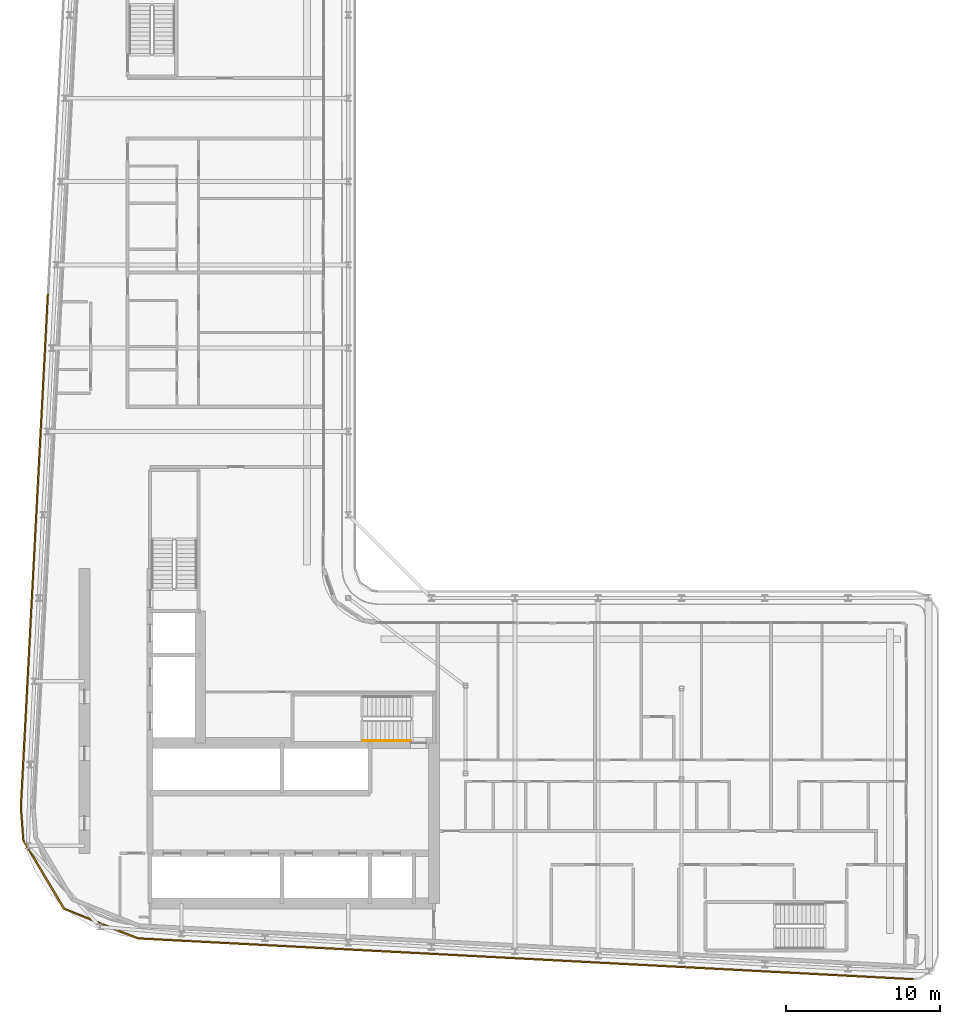
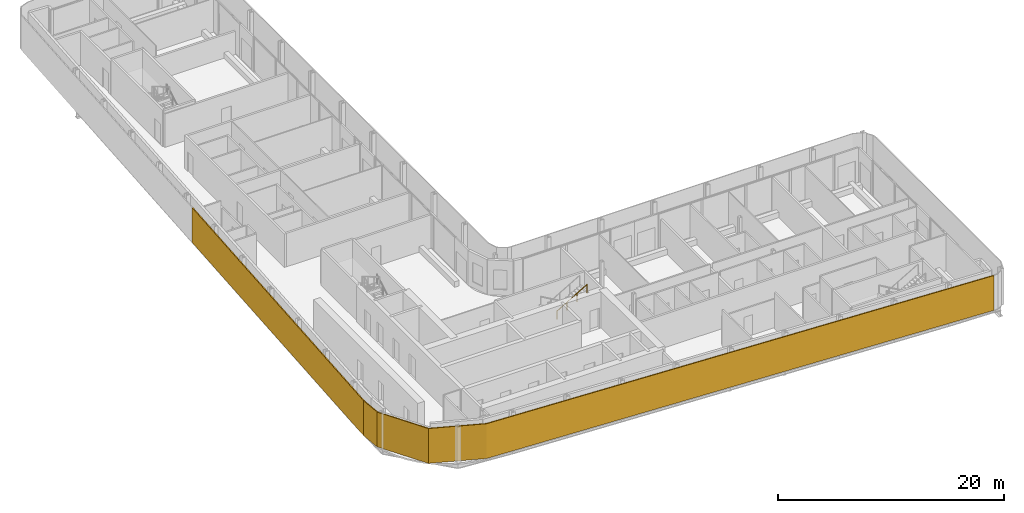
# One storey, part 17 of 23: 2 shading devices, 1 railing.
"""IFC4 building model written with IfcOpenShell, lengths in metres."""

from ifc_helpers import new_model, si_unit, direction, frame, origin, origin_2d, place, context, subcontext, project, spatial, polyline, rectangle, circle, outline, extrude, material, layer, layer_set, type_object, element, save


model = new_model("IFC4")

# Units and contexts
model_context = context("Model", 3, precision=1e-05, world=origin(), true_north=direction((0.0, 1.0)))
body_context = subcontext(model_context, "Body", "Model", "MODEL_VIEW")
ifc_project = project(units=[si_unit("LENGTHUNIT", "METRE"), si_unit("AREAUNIT", "SQUARE_METRE"), si_unit("VOLUMEUNIT", "CUBIC_METRE"), si_unit("PLANEANGLEUNIT", "RADIAN"), si_unit("MASSUNIT", "GRAM", prefix="KILO")], contexts=[model_context])

# Site, building, storey
site_placement = place(None, origin())
site = spatial("IfcSite", under=ifc_project, at=site_placement, CompositionType="ELEMENT")
building_placement = place(site_placement, origin())
building = spatial("IfcBuilding", under=site, at=building_placement, Name="Kheshtan School and Residences Tower", CompositionType="ELEMENT")
storey_placement = place(building_placement, frame((0.0, 0.0, 247.39990234375)))
storey = spatial("IfcBuildingStorey", under=building, at=storey_placement, Name="L58", CompositionType="ELEMENT", Elevation=247.39990234375)

# Shading devices
ifc_material_1 = material(Name="Terracotta baguette, extruded ceramic", Category="masonry")
ifc_layer = layer(ifc_material_1, 0.10009765625)
ifc_layer_set = layer_set([ifc_layer], Name="Ledge screen, terracotta baguettes")
shading_device_type = type_object("IfcShadingDeviceType", Name="Ledge screen, terracotta baguettes", PredefinedType="USERDEFINED", material=ifc_layer_set)
shading_device_1_placement = place(storey_placement, origin())
element("IfcShadingDevice", 1, at=shading_device_1_placement, inside=storey, type_object=shading_device_type, Name="Screen L58 3", ObjectType="BAGUETTE", PredefinedType="USERDEFINED", context=body_context, shape_type="SweptSolid", body=[
    extrude(outline(polyline([(84.220947265625, 20.93603515625), (33.989013671875, 23.580078125), (29.2119140625, 25.486083984375), (26.583984375, 29.906982421875), (26.419921875, 31.989013671875), (26.320068359375, 31.98095703125), (26.486083984375, 29.8759765625), (29.14306640625, 25.406005859375), (33.967041015625, 23.48095703125), (84.216064453125, 20.8359375), (84.220947265625, 20.93603515625)])), origin(), (0.0, 0.0, 1.0), 3.75),
])
shading_device_2_placement = place(storey_placement, frame((27.24609375, 48.638916015625, 0.0), z_axis=(0.0, 0.0, 1.0), x_axis=(0.052562536748, 0.998617634398, 0.0)))
element("IfcShadingDevice", 2, at=shading_device_2_placement, inside=storey, type_object=shading_device_type, Name="Screen L58 4", ObjectType="BAGUETTE", PredefinedType="USERDEFINED", context=body_context, shape_type="SweptSolid", body=[
    extrude(rectangle(XDim=33.341064453125, YDim=0.10009765625, at=origin_2d()), origin(), (0.0, 0.0, 1.0), 3.75),
])

# Railing
ifc_material_2 = material(Name="Stainless steel handrail", Category="steel")
railing_type = type_object("IfcRailingType", Name="Stair handrail 900", PredefinedType="HANDRAIL", material=ifc_material_2)
railing_placement = place(storey_placement, frame((48.570068359375, 36.35009765625, 2.112548828125)))
element("IfcRailing", 3, at=railing_placement, inside=storey, type_object=railing_type, Name="L58 ST1 stair handrail 2", PredefinedType="HANDRAIL", context=body_context, shape_type="SweptSolid", body=[
    extrude(circle(Radius=0.02392578125, at=origin_2d()), frame((0.0, 0.0, 0.8759765625), z_axis=(0.864873446163, 0.0, 0.501989962173), x_axis=(0.0, 1.0, 0.0)), (0.0, 0.0, 1.0), 3.56103515625),
    extrude(circle(Radius=0.02099609375, at=origin_2d()), origin(), (0.0, 0.0, 1.0), 0.851806640625),
    extrude(circle(Radius=0.02099609375, at=origin_2d()), frame((1.026611328125, 0.0, 0.595947265625)), (0.0, 0.0, 1.0), 0.851806640625),
    extrude(circle(Radius=0.02099609375, at=origin_2d()), frame((2.05322265625, 0.0, 1.191650390625)), (0.0, 0.0, 1.0), 0.851806640625),
    extrude(circle(Radius=0.02099609375, at=origin_2d()), frame((3.079833984375, 0.0, 1.78759765625)), (0.0, 0.0, 1.0), 0.851806640625),
])

save(model, "model.ifc")
